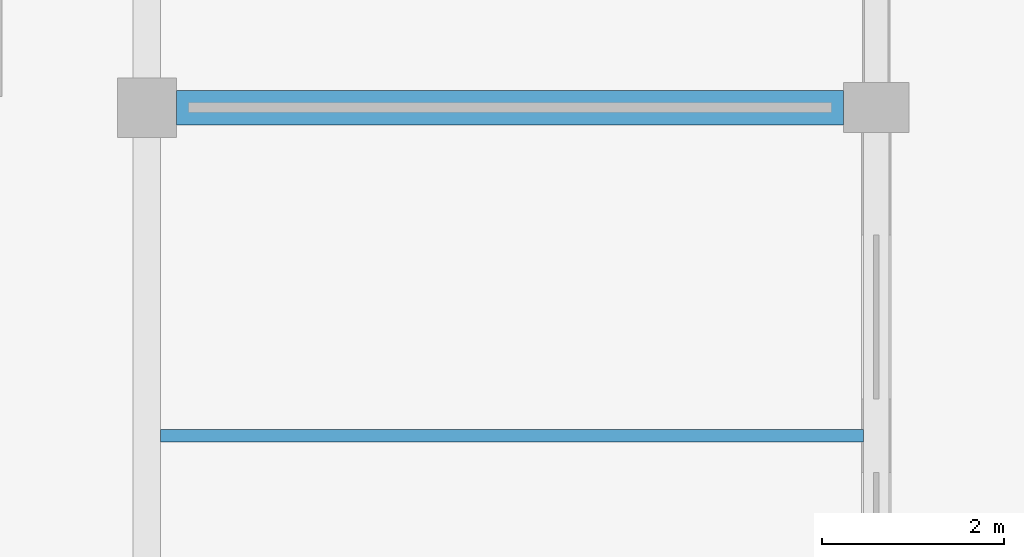
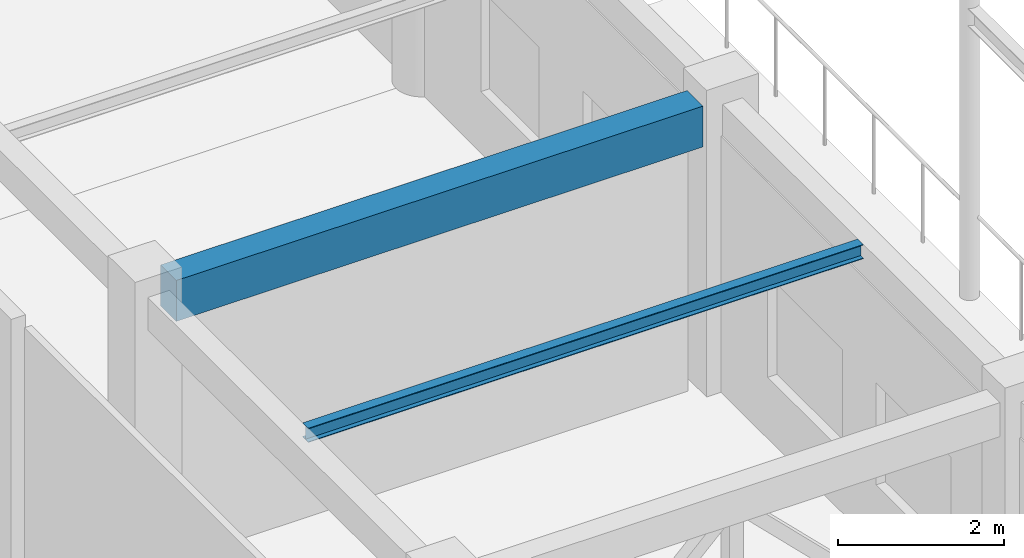
# One storey, part 68 of 160: 2 beams.
"""IFC4 building model written with IfcOpenShell, lengths in metres."""

from ifc_helpers import new_model, si_unit, direction, frame, origin, origin_2d, place, context, subcontext, project, spatial, rectangle, i_section, extrude, material, material_profile, profile_set, type_object, element, save


model = new_model("IFC4")

# Units and contexts
model_context = context("Model", 3, precision=1e-05, world=origin(), true_north=direction((0.0, 1.0)))
body_context = subcontext(model_context, "Body", "Model", "MODEL_VIEW")
ifc_project = project(units=[si_unit("LENGTHUNIT", "METRE"), si_unit("AREAUNIT", "SQUARE_METRE"), si_unit("VOLUMEUNIT", "CUBIC_METRE"), si_unit("PLANEANGLEUNIT", "RADIAN"), si_unit("MASSUNIT", "GRAM", prefix="KILO")], contexts=[model_context])

# Site, building, storey
site_placement = place(None, origin())
site = spatial("IfcSite", under=ifc_project, at=site_placement, CompositionType="ELEMENT")
building_placement = place(site_placement, origin())
building = spatial("IfcBuilding", under=site, at=building_placement, Name="Kharva Crest Polytechnic", CompositionType="ELEMENT")
storey_placement = place(building_placement, frame((0.0, 0.0, 4.5)))
storey = spatial("IfcBuildingStorey", under=building, at=storey_placement, Name="L01", CompositionType="ELEMENT", Elevation=4.5)

# Beams
ifc_material_1 = material(Name="Concrete C35/45", Category="concrete")
ifc_material_profile_1 = material_profile(ifc_material_1, rectangle(XDim=0.3798828125, YDim=0.60009765625, at=origin_2d()), Name="RECT 380 X 600")
ifc_profile_set_1 = profile_set([ifc_material_profile_1], Name="Concrete C35/45")
beam_type_1 = type_object("IfcBeamType", Name="BM-RC-380X600", PredefinedType="BEAM", material=ifc_profile_set_1)
beam_1_placement = place(storey_placement, frame((40.324951171875, 86.0, 3.919921875), z_axis=(1.0, 0.0, 0.0), x_axis=(0.0, 1.0, 0.0)))
element("IfcBeam", 1, at=beam_1_placement, inside=storey, type_object=beam_type_1, Name="L01 Beam M/6-7", PredefinedType="BEAM", context=body_context, shape_type="SweptSolid", body=[
    extrude(rectangle(XDim=0.3798828125, YDim=0.60009765625, at=origin_2d()), origin(), (0.0, 0.0, 1.0), 7.31494140625),
])
ifc_material_2 = material(Name="Steel S355", Category="steel")
ifc_material_profile_2 = material_profile(ifc_material_2, i_section(OverallWidth=0.134033203125, OverallDepth=0.2099609375, WebThickness=0.00634765625, FlangeThickness=0.01025390625, at=origin_2d()), Name="W200X31.3")
ifc_profile_set_2 = profile_set([ifc_material_profile_2], Name="Steel S355")
beam_type_2 = type_object("IfcBeamType", Name="BM-STL-W200X31", PredefinedType="JOIST", material=ifc_profile_set_2)
beam_2_placement = place(storey_placement, frame((40.14990234375, 82.39990234375, 4.114990234375), z_axis=(1.0, 0.0, 0.0), x_axis=(0.0, 1.0, 0.0)))
element("IfcBeam", 2, at=beam_2_placement, inside=storey, type_object=beam_type_2, Name="L01 Floor Joist 5", PredefinedType="JOIST", context=body_context, shape_type="SweptSolid", body=[
    extrude(i_section(OverallWidth=0.134033203125, OverallDepth=0.2099609375, WebThickness=0.00634765625, FlangeThickness=0.01025390625, at=origin_2d()), origin(), (0.0, 0.0, 1.0), 7.710205078125),
])

save(model, "model.ifc")
